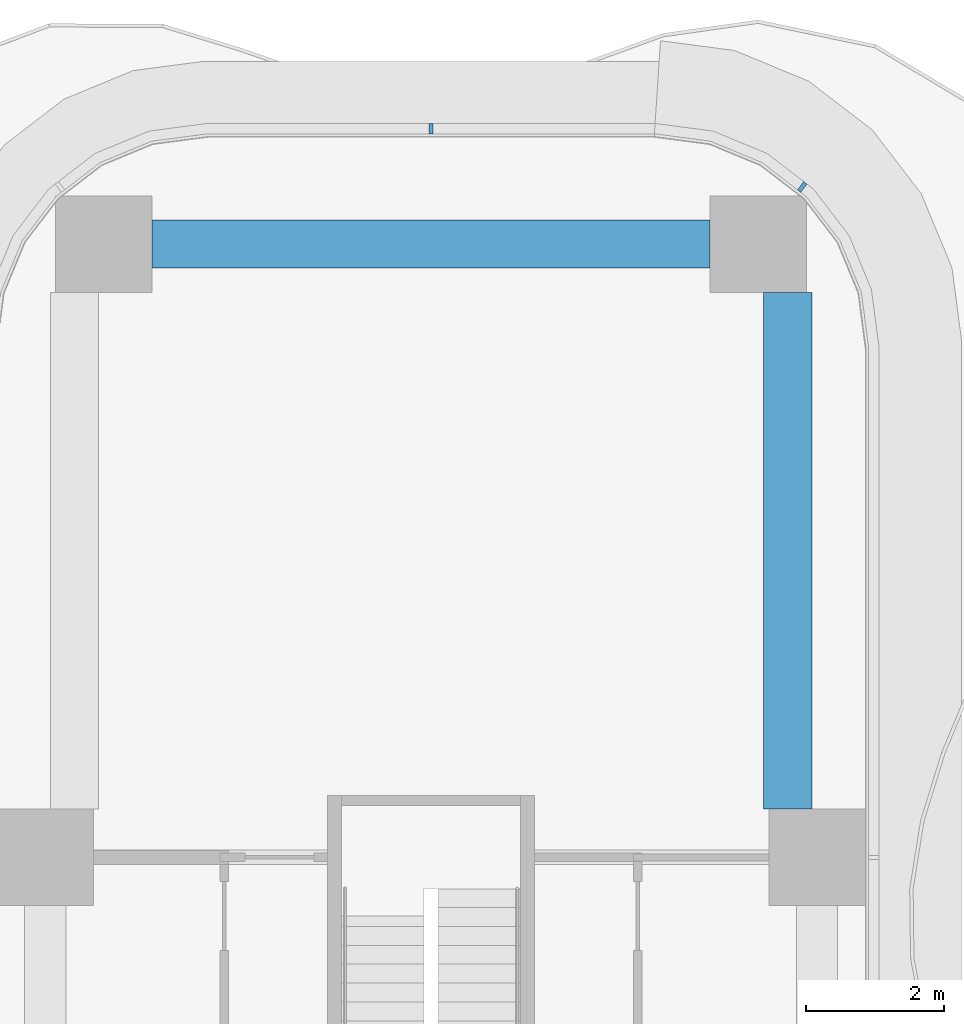
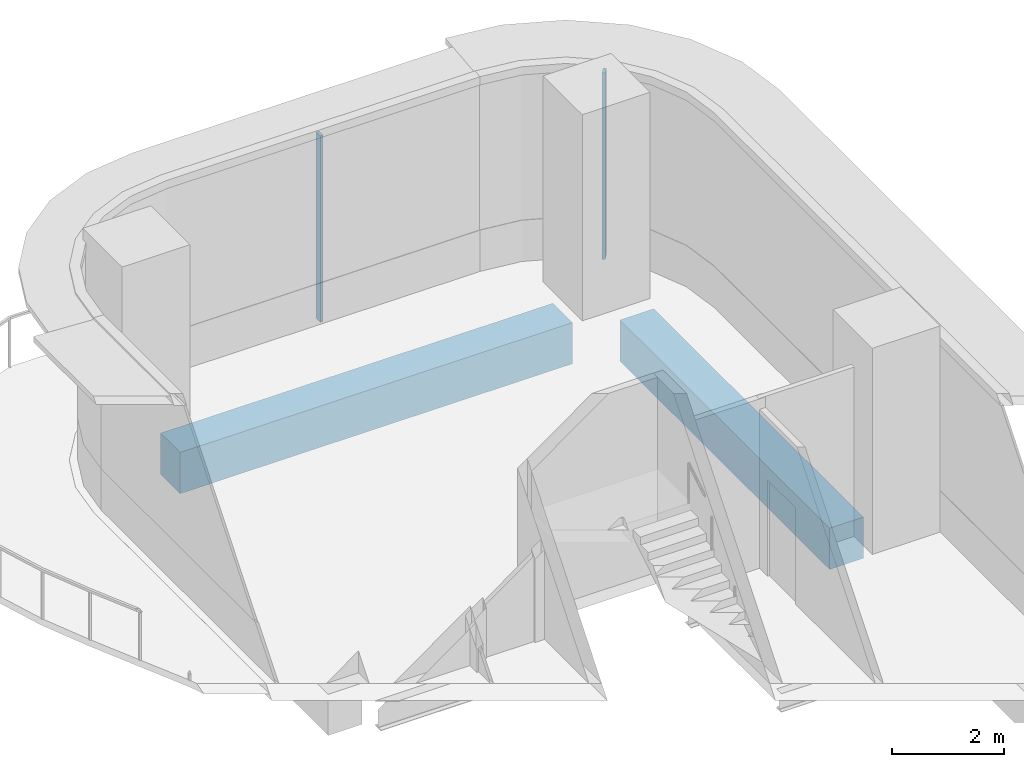
# One storey, part 12 of 22: 2 beams, 2 members, 2 elements without a shape of their own.
"""IFC4 building model written with IfcOpenShell, lengths in metres."""

from ifc_helpers import new_model, si_unit, direction, frame, origin, origin_2d, place, context, subcontext, project, spatial, rectangle, extrude, source, transform, mapped, material, layer, layer_set, material_profile, profile_set, type_object, element, aggregate, save


model = new_model("IFC4")

# Units and contexts
model_context = context("Model", 3, precision=1e-05, world=origin(), true_north=direction((0.0, 1.0)))
body_context = subcontext(model_context, "Body", "Model", "MODEL_VIEW")
ifc_project = project(units=[si_unit("LENGTHUNIT", "METRE"), si_unit("AREAUNIT", "SQUARE_METRE"), si_unit("VOLUMEUNIT", "CUBIC_METRE"), si_unit("PLANEANGLEUNIT", "RADIAN"), si_unit("MASSUNIT", "GRAM", prefix="KILO")], contexts=[model_context])

# Site, building, storey
site_placement = place(None, origin())
site = spatial("IfcSite", under=ifc_project, at=site_placement, CompositionType="ELEMENT")
building_placement = place(site_placement, origin())
building = spatial("IfcBuilding", under=site, at=building_placement, Name="Trellis Farm Tower", CompositionType="ELEMENT")
storey_placement = place(building_placement, frame((0.0, 0.0, 43.0)))
storey = spatial("IfcBuildingStorey", under=building, at=storey_placement, Name="L08", CompositionType="ELEMENT", Elevation=43.0)

# Beams
ifc_material_1 = material(Name="Concrete C60/75", Category="concrete")
ifc_material_profile_1 = material_profile(ifc_material_1, rectangle(XDim=0.699951171875, YDim=0.89990234375, at=origin_2d()), Name="RC spandrel beam 700x900 C60/75")
ifc_profile_set_1 = profile_set([ifc_material_profile_1], Name="Concrete C60/75")
beam_type = type_object("IfcBeamType", Name="RC spandrel beam 700x900 C60/75", PredefinedType="SPANDREL", material=ifc_profile_set_1)
shared_shape_1 = source(origin(), body_context, "Body", "SweptSolid", [
    extrude(rectangle(XDim=0.699951171875, YDim=0.89990234375, at=origin_2d()), origin(), (0.0, 0.0, 1.0), 8.10009765625),
])
beam_1_placement = place(storey_placement, frame((-4.050048828125, 27.5, -0.699951171875), z_axis=(1.0, 0.0, 0.0), x_axis=(0.0, 1.0, 0.0)))
element("IfcBeam", 1, at=beam_1_placement, inside=storey, type_object=beam_type, Name="Girder", PredefinedType="SPANDREL", context=body_context, shape_type="MappedRepresentation", body=[
    mapped(shared_shape_1, transform((0.0, 0.0, 0.0))),
])
shared_shape_2 = source(origin(), body_context, "Body", "SweptSolid", [
    extrude(rectangle(XDim=0.699951171875, YDim=0.89990234375, at=origin_2d()), origin(), (0.0, 0.0, 1.0), 7.5),
])
beam_2_placement = place(storey_placement, frame((5.175048828125, 19.300048828125, -0.699951171875), z_axis=(0.0, 1.0, 0.0), x_axis=(-1.0, 0.0, 0.0)))
element("IfcBeam", 2, at=beam_2_placement, inside=storey, type_object=beam_type, Name="Girder", PredefinedType="SPANDREL", context=body_context, shape_type="MappedRepresentation", body=[
    mapped(shared_shape_2, transform((0.0, 0.0, 0.0))),
])

# Curtain wall, member
ifc_material_2 = material(Name="Aluminium and glass curtain wall", Category="aluminium")
ifc_layer = layer(ifc_material_2, 0.18994140625)
ifc_layer_set = layer_set([ifc_layer], Name="RIBBON CURTAIN WALL CW1")
curtain_wall_type = type_object("IfcCurtainWallType", Name="RIBBON CURTAIN WALL CW1", PredefinedType="NOTDEFINED", material=ifc_layer_set)
placement = place(storey_placement, origin())
curtain_wall_1 = element("IfcCurtainWall", 3, at=placement, inside=storey, type_object=curtain_wall_type, Name="CW1 009", PredefinedType="NOTDEFINED")
ifc_material_3 = material(Name="Aluminium extrusion 6063-T6", Category="aluminium")
ifc_material_profile_2 = material_profile(ifc_material_3, rectangle(XDim=0.06005859375, YDim=0.14990234375, at=origin_2d()), Name="MULLION 60x150")
ifc_profile_set_2 = profile_set([ifc_material_profile_2], Name="Aluminium extrusion 6063-T6")
member_type = type_object("IfcMemberType", Name="CW1 MULLION 60x150", PredefinedType="MULLION", material=ifc_profile_set_2)
shared_shape_3 = source(origin(), body_context, "Body", "SweptSolid", [
    extrude(rectangle(XDim=0.06005859375, YDim=0.14990234375, at=origin_2d()), origin(), (0.0, 0.0, 1.0), 4.070068359375),
])
member_1_placement = place(storey_placement, frame((5.385498046875, 28.328369140625, 0.0), z_axis=(0.0, 0.0, 1.0), x_axis=(-0.793353340291, 0.608761429009, 0.0)))
member_1 = element("IfcMember", 4, at=member_1_placement, type_object=member_type, Name="MU1 009-03", PredefinedType="MULLION", context=body_context, shape_type="MappedRepresentation", body=[
    mapped(shared_shape_3, transform((0.0, 0.0, 0.0))),
])
aggregate(curtain_wall_1, [member_1])

curtain_wall_2 = element("IfcCurtainWall", 5, at=placement, inside=storey, type_object=curtain_wall_type, Name="CW1 010", PredefinedType="NOTDEFINED")
member_2_placement = place(storey_placement, frame((0.0, 29.175048828125, 0.0), z_axis=(0.0, 0.0, 1.0), x_axis=(-1.0, 0.0, 0.0)))
member_2 = element("IfcMember", 6, at=member_2_placement, type_object=member_type, Name="MU1 010-01", PredefinedType="MULLION", context=body_context, shape_type="MappedRepresentation", body=[
    mapped(shared_shape_3, transform((0.0, 0.0, 0.0))),
])
aggregate(curtain_wall_2, [member_2])

save(model, "model.ifc")
